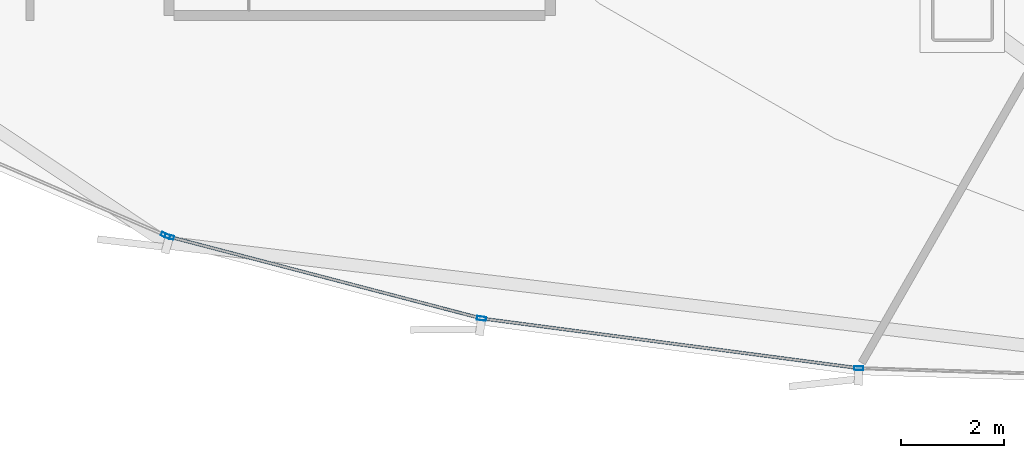
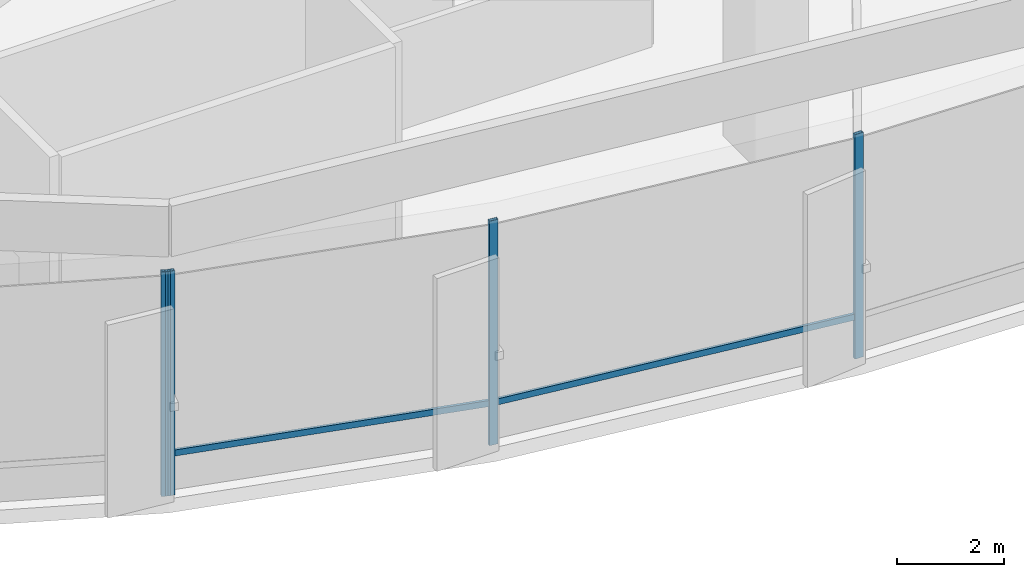
# One storey, part 4 of 36: 6 members, 2 elements without a shape of their own.
"""IFC4 building model written with IfcOpenShell, lengths in metres."""

from ifc_helpers import new_model, si_unit, direction, frame, origin, origin_2d, place, context, subcontext, project, spatial, hollow_rectangle, extrude, source, transform, mapped, material, layer, layer_set, material_profile, profile_set, type_object, element, aggregate, save


model = new_model("IFC4")

# Units and contexts
model_context = context("Model", 3, precision=1e-05, world=origin(), true_north=direction((0.0, 1.0)))
body_context = subcontext(model_context, "Body", "Model", "MODEL_VIEW")
ifc_project = project(units=[si_unit("LENGTHUNIT", "METRE"), si_unit("AREAUNIT", "SQUARE_METRE"), si_unit("VOLUMEUNIT", "CUBIC_METRE"), si_unit("PLANEANGLEUNIT", "RADIAN"), si_unit("MASSUNIT", "GRAM", prefix="KILO"), si_unit("THERMODYNAMICTEMPERATUREUNIT", "KELVIN")], contexts=[model_context])

# Site, building, storey
site_placement = place(None, origin())
site = spatial("IfcSite", under=ifc_project, at=site_placement, CompositionType="ELEMENT")
building_placement = place(site_placement, origin())
building = spatial("IfcBuilding", under=site, at=building_placement, Name="Kethvar Cultural Tower", CompositionType="ELEMENT")
storey_placement = place(building_placement, frame((0.0, 0.0, 24.0)))
storey = spatial("IfcBuildingStorey", under=building, at=storey_placement, Name="L05", CompositionType="ELEMENT", Elevation=24.0)

# Curtain wall, members
ifc_material = material(Name="Aluminium 6063-T6", Category="aluminium")
ifc_layer = layer(ifc_material, 0.179931640625, Name="Aluminium 6063-T6", Category="aluminium")
ifc_layer_set = layer_set([ifc_layer], Name="Aluminium 6063-T6 (180 mm)")
curtain_wall_type = type_object("IfcCurtainWallType", Name="CW-SYS-01-POD", PredefinedType="NOTDEFINED", material=ifc_layer_set)
curtain_wall_1_placement = place(storey_placement, origin())
curtain_wall_1 = element("IfcCurtainWall", 1, at=curtain_wall_1_placement, inside=storey, type_object=curtain_wall_type, Name="L05 Curtain Wall Run 05", PredefinedType="NOTDEFINED")
ifc_material_profile_1 = material_profile(ifc_material, hollow_rectangle(XDim=0.06005859375, YDim=0.139892578125, WallThickness=0.0048828125, at=origin_2d()), Name="Aluminium 6063-T6 — RHS140x60x5")
ifc_profile_set_1 = profile_set([ifc_material_profile_1], Name="Aluminium 6063-T6 — RHS140x60x5")
member_type_1 = type_object("IfcMemberType", Name="CW-SYS-01-POD-TRN", PredefinedType="USERDEFINED", material=ifc_profile_set_1)
shared_shape_1 = source(origin(), body_context, "Body", "SweptSolid", [
    extrude(hollow_rectangle(XDim=0.06005859375, YDim=0.139892578125, WallThickness=0.0048828125, at=origin_2d()), origin(), (0.0, 0.0, 1.0), 7.28955078125),
])
member_1_placement = place(storey_placement, frame((24.0205078125, 1.611328125, 0.949951171875), z_axis=(0.991428284846, -0.130652041726, 0.0), x_axis=(0.130652041726, 0.991428284846, 0.0)))
member_1 = element("IfcMember", 2, at=member_1_placement, type_object=member_type_1, Name="CW-L05-R05 Transom 2", ObjectType="TRANSOM", PredefinedType="USERDEFINED", context=body_context, shape_type="MappedRepresentation", body=[
    mapped(shared_shape_1, transform((0.0, 0.0, 0.0), scale=1.0)),
])
shared_shape_2 = source(origin(), body_context, "Body", "SweptSolid", [
    extrude(hollow_rectangle(XDim=0.06005859375, YDim=0.139892578125, WallThickness=0.0048828125, at=origin_2d()), origin(), (0.0, 0.0, 1.0), 6.221435546875),
])
member_2_placement = place(storey_placement, frame((17.911865234375, 3.203125, 0.949951171875), z_axis=(0.967458727109, -0.253028874519, 0.0), x_axis=(0.253028874519, 0.967458727109, 0.0)))
member_2 = element("IfcMember", 3, at=member_2_placement, type_object=member_type_1, Name="CW-L05-R05 Transom 1", ObjectType="TRANSOM", PredefinedType="USERDEFINED", context=body_context, shape_type="MappedRepresentation", body=[
    mapped(shared_shape_2, transform((0.0, 0.0, 0.0), scale=1.0)),
])

# Curtain wall, member
curtain_wall_2_placement = place(storey_placement, origin())
curtain_wall_2 = element("IfcCurtainWall", 4, at=curtain_wall_2_placement, inside=storey, type_object=curtain_wall_type, Name="L05 Curtain Wall Run 04", PredefinedType="NOTDEFINED")
ifc_material_profile_2 = material_profile(ifc_material, hollow_rectangle(XDim=0.074951171875, YDim=0.179931640625, WallThickness=0.006103515625, at=origin_2d()), Name="Aluminium 6063-T6 — RHS180x75x6")
ifc_profile_set_2 = profile_set([ifc_material_profile_2], Name="Aluminium 6063-T6 — RHS180x75x6")
member_type_2 = type_object("IfcMemberType", Name="CW-SYS-01-POD-MUL", PredefinedType="MULLION", material=ifc_profile_set_2)
shared_shape_3 = source(origin(), body_context, "Body", "SweptSolid", [
    extrude(hollow_rectangle(XDim=0.074951171875, YDim=0.179931640625, WallThickness=0.006103515625, at=origin_2d()), origin(), (0.0, 0.0, 1.0), 5.1201171875),
])
member_3_placement = place(storey_placement, frame((17.83349609375, 3.229736328125, 0.0), z_axis=(0.0, 0.0, 1.0), x_axis=(0.396410942082, 0.918073180633, 0.0)))
member_3 = element("IfcMember", 5, at=member_3_placement, type_object=member_type_2, Name="CW-L05-R04 Mullion 7", PredefinedType="MULLION", context=body_context, shape_type="MappedRepresentation", body=[
    mapped(shared_shape_3, transform((0.0, 0.0, 0.0), scale=1.0)),
])
aggregate(curtain_wall_2, [member_3])

# Member
member_4_placement = place(storey_placement, frame((17.90673828125, 3.204345703125, 0.0), z_axis=(0.0, 0.0, 1.0), x_axis=(0.253031946887, 0.967457923558, 0.0)))
member_4 = element("IfcMember", 6, at=member_4_placement, type_object=member_type_2, Name="CW-L05-R05 Mullion 1", PredefinedType="MULLION", context=body_context, shape_type="MappedRepresentation", body=[
    mapped(shared_shape_3, transform((0.0, 0.0, 0.0), scale=1.0)),
])

member_5_placement = place(storey_placement, frame((23.967041015625, 1.618408203125, 0.0), z_axis=(0.0, 0.0, 1.0), x_axis=(0.130647319086, 0.991428907192, 0.0)))
member_5 = element("IfcMember", 7, at=member_5_placement, type_object=member_type_2, Name="CW-L05-R05 Mullion 2", PredefinedType="MULLION", context=body_context, shape_type="MappedRepresentation", body=[
    mapped(shared_shape_3, transform((0.0, 0.0, 0.0), scale=1.0)),
])

member_6_placement = place(storey_placement, frame((31.2880859375, 0.653076171875, 0.0), z_axis=(0.0, 0.0, 1.0), x_axis=(0.030137272261, 0.999545769248, 0.0)))
member_6 = element("IfcMember", 8, at=member_6_placement, type_object=member_type_2, Name="CW-L05-R05 Mullion 3", PredefinedType="MULLION", context=body_context, shape_type="MappedRepresentation", body=[
    mapped(shared_shape_3, transform((0.0, 0.0, 0.0), scale=1.0)),
])

aggregate(curtain_wall_1, [member_4, member_5, member_6, member_2, member_1])

save(model, "model.ifc")
